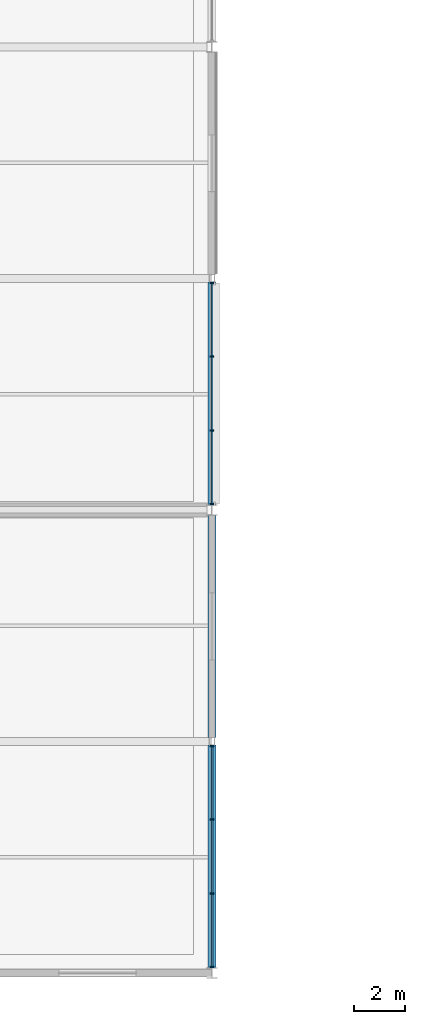
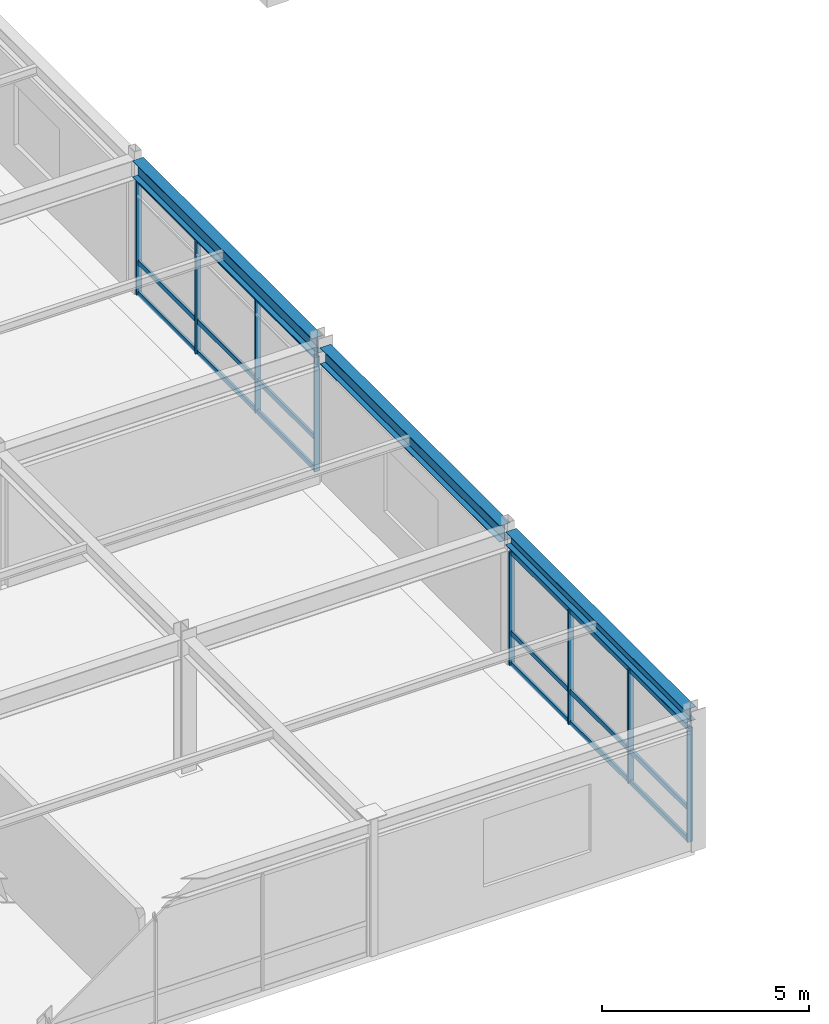
# One storey, part 25 of 105: 26 members, 3 beams, 2 elements without a shape of their own.
"""IFC4 building model written with IfcOpenShell, lengths in metres."""

import ifcopenshell
import ifcopenshell.guid

model = None  # the IFC model being written
_history = None  # IfcOwnerHistory: only IFC2X3 demands one
_inside = {}  # id of a spatial element -> (the spatial element, [elements in it])
_under = {}  # id of a project, library or spatial element -> (it, [spatial elements below it])
_declared = {}  # id of a project -> (the project, [libraries it declares])
_typed = {}  # id of a type object -> (the type object, [elements of that type])
_made_of = {}  # id of a material, layer set ... -> (it, [elements and type objects made of it])


def new_model(schema):
    """Start an empty IFC model of exactly this schema.

    Asked for "IFC4X3", IfcOpenShell would pick the latest addendum, in which some entities
    have other attributes; the version numbers below select the first issue.
    IFC2X3 requires an IfcOwnerHistory on every rooted entity: one is made here for all.
    """
    global model, _history
    if schema == "IFC4X3":
        model = ifcopenshell.file(schema_version=(4, 3, 0, 0))
    else:
        model = ifcopenshell.file(schema=schema)
    _inside.clear()
    _under.clear()
    _declared.clear()
    _typed.clear()
    _made_of.clear()
    _history = None
    if model.schema == "IFC2X3":
        org = make("IfcOrganization", Name="unknown")
        user = make(
            "IfcPersonAndOrganization",
            ThePerson=make("IfcPerson", FamilyName="unknown"),
            TheOrganization=org,
        )
        app = make(
            "IfcApplication",
            ApplicationDeveloper=org,
            Version="unknown",
            ApplicationFullName="unknown",
            ApplicationIdentifier="unknown",
        )
        _history = make(
            "IfcOwnerHistory",
            OwningUser=user,
            OwningApplication=app,
            ChangeAction="ADDED",
            CreationDate=0,
        )
    return model


def make(cls, **values):
    """One entity of the class cls with the attributes given. An attribute that is None is left unset."""
    return model.create_entity(
        cls, **{name: value for name, value in values.items() if value is not None}
    )


def rooted(cls, **values):
    """An entity with a GlobalId (a new one), such as an element, a storey or a relation."""
    return make(cls, GlobalId=ifcopenshell.guid.new(), OwnerHistory=_history, **values)


def si_unit(unit_type, name, prefix=None):
    """IfcSIUnit, for example si_unit("LENGTHUNIT", "METRE", prefix="MILLI")."""
    return make("IfcSIUnit", UnitType=unit_type, Prefix=prefix, Name=name)


def assignment(units):
    """IfcUnitAssignment: the units of a project."""
    return None if units is None else make("IfcUnitAssignment", Units=units)


def point(xyz):
    """IfcCartesianPoint."""
    return None if xyz is None else make("IfcCartesianPoint", Coordinates=xyz)


def direction(xyz):
    """IfcDirection."""
    return None if xyz is None else make("IfcDirection", DirectionRatios=xyz)


def frame(location, z_axis=None, x_axis=None):
    """IfcAxis2Placement3D, a coordinate frame: its origin and axes. An axis left out is left unset."""
    return make(
        "IfcAxis2Placement3D",
        Location=point(location),
        Axis=direction(z_axis),
        RefDirection=direction(x_axis),
    )


def frame_2d(location, x_axis=None):
    """IfcAxis2Placement2D, a coordinate frame in the plane: its origin and x axis."""
    return make(
        "IfcAxis2Placement2D", Location=point(location), RefDirection=direction(x_axis)
    )


def origin():
    """The frame at (0, 0, 0) with its axes left unset."""
    return frame((0.0, 0.0, 0.0))


def origin_2d():
    """The frame at (0, 0) in the plane with its x axis left unset."""
    return frame_2d((0.0, 0.0))


def place(relative_to, where):
    """IfcLocalPlacement: puts the frame where relative to a parent placement (None: the world)."""
    return make(
        "IfcLocalPlacement", PlacementRelTo=relative_to, RelativePlacement=where
    )


def context(
    kind, dimensions, precision=None, world=None, true_north=None, identifier=None
):
    """IfcGeometricRepresentationContext, for example the 3D "Model" context."""
    return make(
        "IfcGeometricRepresentationContext",
        ContextIdentifier=identifier,
        ContextType=kind,
        CoordinateSpaceDimension=dimensions,
        Precision=precision,
        WorldCoordinateSystem=world,
        TrueNorth=true_north,
    )


def subcontext(parent, identifier, kind, view, scale=None):
    """IfcGeometricRepresentationSubContext, for example "Body" below "Model"."""
    return make(
        "IfcGeometricRepresentationSubContext",
        ContextIdentifier=identifier,
        ContextType=kind,
        ParentContext=parent,
        TargetScale=scale,
        TargetView=view,
    )


def project(units=None, contexts=None):
    """IfcProject with its units and contexts."""
    return rooted(
        "IfcProject",
        Name="project",
        RepresentationContexts=contexts,
        UnitsInContext=assignment(units),
    )


def spatial(cls, under=None, at=None, **own):
    """A site, building, storey or space (cls), placed at a placement, below another one or the project."""
    s = rooted(cls, ObjectPlacement=at, **own)
    if under is not None:
        _under.setdefault(under.id(), (under, []))[1].append(s)
    return s


def profile(cls, at=None, kind="AREA", **sizes):
    """A parametric profile (cls). Its sizes go by their IFC names, for example OverallWidth=200.0."""
    return make(cls, ProfileType=kind, Position=at, **sizes)


def rectangle(**sizes):
    """IfcRectangleProfileDef."""
    return profile("IfcRectangleProfileDef", **sizes)


def i_section(**sizes):
    """IfcIShapeProfileDef."""
    return profile("IfcIShapeProfileDef", **sizes)


def extrude(swept, where, along, depth):
    """IfcExtrudedAreaSolid: the profile swept, set in the frame where, extruded along a direction by depth."""
    return make(
        "IfcExtrudedAreaSolid",
        SweptArea=swept,
        Position=where,
        ExtrudedDirection=direction(along),
        Depth=depth,
    )


def shape(context_of_items, identifier, shape_type, items):
    """IfcShapeRepresentation: the items that make up one representation, for example the "Body"."""
    return make(
        "IfcShapeRepresentation",
        ContextOfItems=context_of_items,
        RepresentationIdentifier=identifier,
        RepresentationType=shape_type,
        Items=items,
    )


def material(Name=None, Category=None):
    """IfcMaterial."""
    return make("IfcMaterial", Name=Name, Category=Category)


def material_profile(
    of_material, cross_section, Name=None, Category=None, Priority=None
):
    """IfcMaterialProfile: a cross section and its material."""
    return make(
        "IfcMaterialProfile",
        Name=Name,
        Material=of_material,
        Profile=cross_section,
        Priority=Priority,
        Category=Category,
    )


def profile_set(profiles, Name=None, composite=None):
    """IfcMaterialProfileSet."""
    return make(
        "IfcMaterialProfileSet",
        Name=Name,
        MaterialProfiles=profiles,
        CompositeProfile=composite,
    )


def made_of(thing, what):
    """Note that an element or type object is made of a material, layer set ...; save() writes the relation."""
    if what is not None:
        _made_of.setdefault(what.id(), (what, []))[1].append(thing)
    return thing


def type_object(cls, material=None, **own):
    """A type object (cls), such as IfcWallType, which elements share."""
    return made_of(rooted(cls, **own), material)


def element(
    cls,
    number,
    at=None,
    inside=None,
    cuts=None,
    type_object=None,
    material=None,
    context=None,
    identifier="Body",
    shape_type=None,
    held_by="IfcProductDefinitionShape",
    body=None,
    shapes=None,
    **own,
):
    """One element of the class cls, such as IfcWall. Its Tag is "e" and its number.

    at: its placement. inside: the storey or other place that contains it. cuts: it is an
    opening in that element (IfcRelVoidsElement). A single representation is given by context,
    identifier, shape_type and body (its items); several are given by shapes. held_by: the class
    of the entity that holds the representations. save() writes the other relations.
    """
    e = rooted(cls, Tag="e%d" % number, ObjectPlacement=at, **own)
    if body is not None:
        shapes = [shape(context, identifier, shape_type, body)]
    if shapes is not None:
        e.Representation = make(held_by, Representations=shapes)
    if inside is not None:
        _inside.setdefault(inside.id(), (inside, []))[1].append(e)
    if cuts is not None:
        rooted(
            "IfcRelVoidsElement", RelatingBuildingElement=cuts, RelatedOpeningElement=e
        )
    if type_object is not None:
        _typed.setdefault(type_object.id(), (type_object, []))[1].append(e)
    return made_of(e, material)


def aggregate(whole, parts):
    """IfcRelAggregates: a whole, such as a stair, and the parts it consists of."""
    return rooted("IfcRelAggregates", RelatingObject=whole, RelatedObjects=parts)


def save(model, path):
    """Write the relations noted so far, then the file.

    IfcRelAggregates (storeys below a building ...), IfcRelContainedInSpatialStructure (elements
    in a storey), IfcRelDefinesByType, IfcRelAssociatesMaterial and IfcRelDeclares: one each for
    every whole, place, type object, material and project.
    """
    for whole, parts in _under.values():
        aggregate(whole, parts)
    for where, things in _inside.values():
        rooted(
            "IfcRelContainedInSpatialStructure",
            RelatedElements=things,
            RelatingStructure=where,
        )
    for kind, things in _typed.values():
        rooted("IfcRelDefinesByType", RelatedObjects=things, RelatingType=kind)
    for what, things in _made_of.values():
        rooted("IfcRelAssociatesMaterial", RelatedObjects=things, RelatingMaterial=what)
    for by, libraries in _declared.values():
        rooted("IfcRelDeclares", RelatingContext=by, RelatedDefinitions=libraries)
    model.write(path)


model = new_model("IFC4")

# Units and contexts
model_context = context("Model", 3, precision=1e-05, world=origin(), true_north=direction((0.0, 1.0)))
body_context = subcontext(model_context, "Body", "Model", "MODEL_VIEW")
ifc_project = project(units=[si_unit("LENGTHUNIT", "METRE"), si_unit("AREAUNIT", "SQUARE_METRE"), si_unit("VOLUMEUNIT", "CUBIC_METRE"), si_unit("PLANEANGLEUNIT", "RADIAN"), si_unit("MASSUNIT", "GRAM", prefix="KILO")], contexts=[model_context])

# Site, building, storey
site_placement = place(None, origin())
site = spatial("IfcSite", under=ifc_project, at=site_placement, CompositionType="ELEMENT")
building_placement = place(site_placement, origin())
building = spatial("IfcBuilding", under=site, at=building_placement, Name="Suzunagisa Mobility Hub", CompositionType="ELEMENT")
storey_placement = place(building_placement, frame((0.0, 0.0, 5.10009765625)))
storey = spatial("IfcBuildingStorey", under=building, at=storey_placement, Name="L01", CompositionType="ELEMENT", Elevation=5.10009765625)

# Curtain wall, members
ifc_material_1 = material(Name="Thermally Broken Anodized Aluminum and Low-E Glazing", Category="aluminium")
curtain_wall_type = type_object("IfcCurtainWallType", Name="Unitised Curtain Wall CW-45 8750x3400", PredefinedType="USERDEFINED", material=ifc_material_1)
curtain_wall_1_placement = place(storey_placement, origin())
curtain_wall_1 = element("IfcCurtainWall", 1, at=curtain_wall_1_placement, inside=storey, type_object=curtain_wall_type, Name="L01 Unitised Curtain Wall CW-14", ObjectType="UNITISED CURTAIN WALL", PredefinedType="USERDEFINED")
ifc_material_2 = material(Name="Anodized Aluminum 6063-T6", Category="aluminium")
ifc_material_profile_1 = material_profile(ifc_material_2, rectangle(XDim=0.06494140625, YDim=0.139892578125, at=origin_2d()), Name="TRAN-65x140")
ifc_profile_set_1 = profile_set([ifc_material_profile_1], Name="Anodized Aluminum 6063-T6")
member_type_1 = type_object("IfcMemberType", Name="Curtain Wall Framing CM-01 TRAN-65x140", PredefinedType="USERDEFINED", material=ifc_profile_set_1)
member_1_placement = place(storey_placement, frame((36.0, 0.258056640625, 0.032470703125), z_axis=(0.0, 1.0, 0.0), x_axis=(-1.0, 0.0, 0.0)))
member_1 = element("IfcMember", 2, at=member_1_placement, type_object=member_type_1, Name="Curtain Wall Transom 14-T1.1", ObjectType="TRANSOM", PredefinedType="USERDEFINED", context=body_context, shape_type="SweptSolid", body=[
    extrude(rectangle(XDim=0.06494140625, YDim=0.139892578125, at=origin_2d()), origin(), (0.0, 0.0, 1.0), 2.79736328125),
])
member_2_placement = place(storey_placement, frame((36.0, 0.258056640625, 0.949951171875), z_axis=(0.0, 1.0, 0.0), x_axis=(-1.0, 0.0, 0.0)))
member_2 = element("IfcMember", 3, at=member_2_placement, type_object=member_type_1, Name="Curtain Wall Transom 14-T1.2", ObjectType="TRANSOM", PredefinedType="USERDEFINED", context=body_context, shape_type="SweptSolid", body=[
    extrude(rectangle(XDim=0.06494140625, YDim=0.139892578125, at=origin_2d()), origin(), (0.0, 0.0, 1.0), 2.79736328125),
])
member_3_placement = place(storey_placement, frame((36.0, 0.258056640625, 3.3193359375), z_axis=(0.0, 1.0, 0.0), x_axis=(-1.0, 0.0, 0.0)))
member_3 = element("IfcMember", 4, at=member_3_placement, type_object=member_type_1, Name="Curtain Wall Transom 14-T1.3", ObjectType="TRANSOM", PredefinedType="USERDEFINED", context=body_context, shape_type="SweptSolid", body=[
    extrude(rectangle(XDim=0.06494140625, YDim=0.139892578125, at=origin_2d()), origin(), (0.0, 0.0, 1.0), 2.79736328125),
])
member_4_placement = place(storey_placement, frame((36.0, 3.111328125, 0.032470703125), z_axis=(0.0, 1.0, 0.0), x_axis=(-1.0, 0.0, 0.0)))
member_4 = element("IfcMember", 5, at=member_4_placement, type_object=member_type_1, Name="Curtain Wall Transom 14-T2.1", ObjectType="TRANSOM", PredefinedType="USERDEFINED", context=body_context, shape_type="SweptSolid", body=[
    extrude(rectangle(XDim=0.06494140625, YDim=0.139892578125, at=origin_2d()), origin(), (0.0, 0.0, 1.0), 2.827392578125),
])
member_5_placement = place(storey_placement, frame((36.0, 3.111328125, 0.949951171875), z_axis=(0.0, 1.0, 0.0), x_axis=(-1.0, 0.0, 0.0)))
member_5 = element("IfcMember", 6, at=member_5_placement, type_object=member_type_1, Name="Curtain Wall Transom 14-T2.2", ObjectType="TRANSOM", PredefinedType="USERDEFINED", context=body_context, shape_type="SweptSolid", body=[
    extrude(rectangle(XDim=0.06494140625, YDim=0.139892578125, at=origin_2d()), origin(), (0.0, 0.0, 1.0), 2.827392578125),
])
member_6_placement = place(storey_placement, frame((36.0, 3.111328125, 3.3193359375), z_axis=(0.0, 1.0, 0.0), x_axis=(-1.0, 0.0, 0.0)))
member_6 = element("IfcMember", 7, at=member_6_placement, type_object=member_type_1, Name="Curtain Wall Transom 14-T2.3", ObjectType="TRANSOM", PredefinedType="USERDEFINED", context=body_context, shape_type="SweptSolid", body=[
    extrude(rectangle(XDim=0.06494140625, YDim=0.139892578125, at=origin_2d()), origin(), (0.0, 0.0, 1.0), 2.827392578125),
])
member_7_placement = place(storey_placement, frame((36.0, 5.99462890625, 0.032470703125), z_axis=(0.0, 1.0, 0.0), x_axis=(-1.0, 0.0, 0.0)))
member_7 = element("IfcMember", 8, at=member_7_placement, type_object=member_type_1, Name="Curtain Wall Transom 14-T3.1", ObjectType="TRANSOM", PredefinedType="USERDEFINED", context=body_context, shape_type="SweptSolid", body=[
    extrude(rectangle(XDim=0.06494140625, YDim=0.139892578125, at=origin_2d()), origin(), (0.0, 0.0, 1.0), 2.79736328125),
])
member_8_placement = place(storey_placement, frame((36.0, 5.99462890625, 0.949951171875), z_axis=(0.0, 1.0, 0.0), x_axis=(-1.0, 0.0, 0.0)))
member_8 = element("IfcMember", 9, at=member_8_placement, type_object=member_type_1, Name="Curtain Wall Transom 14-T3.2", ObjectType="TRANSOM", PredefinedType="USERDEFINED", context=body_context, shape_type="SweptSolid", body=[
    extrude(rectangle(XDim=0.06494140625, YDim=0.139892578125, at=origin_2d()), origin(), (0.0, 0.0, 1.0), 2.79736328125),
])
member_9_placement = place(storey_placement, frame((36.0, 5.99462890625, 3.3193359375), z_axis=(0.0, 1.0, 0.0), x_axis=(-1.0, 0.0, 0.0)))
member_9 = element("IfcMember", 10, at=member_9_placement, type_object=member_type_1, Name="Curtain Wall Transom 14-T3.3", ObjectType="TRANSOM", PredefinedType="USERDEFINED", context=body_context, shape_type="SweptSolid", body=[
    extrude(rectangle(XDim=0.06494140625, YDim=0.139892578125, at=origin_2d()), origin(), (0.0, 0.0, 1.0), 2.79736328125),
])

curtain_wall_2_placement = place(storey_placement, origin())
curtain_wall_2 = element("IfcCurtainWall", 11, at=curtain_wall_2_placement, inside=storey, type_object=curtain_wall_type, Name="L01 Unitised Curtain Wall CW-15", ObjectType="UNITISED CURTAIN WALL", PredefinedType="USERDEFINED")
member_10_placement = place(storey_placement, frame((36.0, 18.258056640625, 0.032470703125), z_axis=(0.0, 1.0, 0.0), x_axis=(-1.0, 0.0, 0.0)))
member_10 = element("IfcMember", 12, at=member_10_placement, type_object=member_type_1, Name="Curtain Wall Transom 15-T1.1", ObjectType="TRANSOM", PredefinedType="USERDEFINED", context=body_context, shape_type="SweptSolid", body=[
    extrude(rectangle(XDim=0.06494140625, YDim=0.139892578125, at=origin_2d()), origin(), (0.0, 0.0, 1.0), 2.79736328125),
])
member_11_placement = place(storey_placement, frame((36.0, 18.258056640625, 0.949951171875), z_axis=(0.0, 1.0, 0.0), x_axis=(-1.0, 0.0, 0.0)))
member_11 = element("IfcMember", 13, at=member_11_placement, type_object=member_type_1, Name="Curtain Wall Transom 15-T1.2", ObjectType="TRANSOM", PredefinedType="USERDEFINED", context=body_context, shape_type="SweptSolid", body=[
    extrude(rectangle(XDim=0.06494140625, YDim=0.139892578125, at=origin_2d()), origin(), (0.0, 0.0, 1.0), 2.79736328125),
])
member_12_placement = place(storey_placement, frame((36.0, 18.258056640625, 3.33935546875), z_axis=(0.0, 1.0, 0.0), x_axis=(-1.0, 0.0, 0.0)))
member_12 = element("IfcMember", 14, at=member_12_placement, type_object=member_type_1, Name="Curtain Wall Transom 15-T1.3", ObjectType="TRANSOM", PredefinedType="USERDEFINED", context=body_context, shape_type="SweptSolid", body=[
    extrude(rectangle(XDim=0.06494140625, YDim=0.139892578125, at=origin_2d()), origin(), (0.0, 0.0, 1.0), 2.79736328125),
])
member_13_placement = place(storey_placement, frame((36.0, 21.111328125, 0.032470703125), z_axis=(0.0, 1.0, 0.0), x_axis=(-1.0, 0.0, 0.0)))
member_13 = element("IfcMember", 15, at=member_13_placement, type_object=member_type_1, Name="Curtain Wall Transom 15-T2.1", ObjectType="TRANSOM", PredefinedType="USERDEFINED", context=body_context, shape_type="SweptSolid", body=[
    extrude(rectangle(XDim=0.06494140625, YDim=0.139892578125, at=origin_2d()), origin(), (0.0, 0.0, 1.0), 2.827392578125),
])
member_14_placement = place(storey_placement, frame((36.0, 21.111328125, 0.949951171875), z_axis=(0.0, 1.0, 0.0), x_axis=(-1.0, 0.0, 0.0)))
member_14 = element("IfcMember", 16, at=member_14_placement, type_object=member_type_1, Name="Curtain Wall Transom 15-T2.2", ObjectType="TRANSOM", PredefinedType="USERDEFINED", context=body_context, shape_type="SweptSolid", body=[
    extrude(rectangle(XDim=0.06494140625, YDim=0.139892578125, at=origin_2d()), origin(), (0.0, 0.0, 1.0), 2.827392578125),
])
member_15_placement = place(storey_placement, frame((36.0, 21.111328125, 3.33935546875), z_axis=(0.0, 1.0, 0.0), x_axis=(-1.0, 0.0, 0.0)))
member_15 = element("IfcMember", 17, at=member_15_placement, type_object=member_type_1, Name="Curtain Wall Transom 15-T2.3", ObjectType="TRANSOM", PredefinedType="USERDEFINED", context=body_context, shape_type="SweptSolid", body=[
    extrude(rectangle(XDim=0.06494140625, YDim=0.139892578125, at=origin_2d()), origin(), (0.0, 0.0, 1.0), 2.827392578125),
])
member_16_placement = place(storey_placement, frame((36.0, 23.99462890625, 0.032470703125), z_axis=(0.0, 1.0, 0.0), x_axis=(-1.0, 0.0, 0.0)))
member_16 = element("IfcMember", 18, at=member_16_placement, type_object=member_type_1, Name="Curtain Wall Transom 15-T3.1", ObjectType="TRANSOM", PredefinedType="USERDEFINED", context=body_context, shape_type="SweptSolid", body=[
    extrude(rectangle(XDim=0.06494140625, YDim=0.139892578125, at=origin_2d()), origin(), (0.0, 0.0, 1.0), 2.79736328125),
])
member_17_placement = place(storey_placement, frame((36.0, 23.99462890625, 0.949951171875), z_axis=(0.0, 1.0, 0.0), x_axis=(-1.0, 0.0, 0.0)))
member_17 = element("IfcMember", 19, at=member_17_placement, type_object=member_type_1, Name="Curtain Wall Transom 15-T3.2", ObjectType="TRANSOM", PredefinedType="USERDEFINED", context=body_context, shape_type="SweptSolid", body=[
    extrude(rectangle(XDim=0.06494140625, YDim=0.139892578125, at=origin_2d()), origin(), (0.0, 0.0, 1.0), 2.79736328125),
])
member_18_placement = place(storey_placement, frame((36.0, 23.99462890625, 3.33935546875), z_axis=(0.0, 1.0, 0.0), x_axis=(-1.0, 0.0, 0.0)))
member_18 = element("IfcMember", 20, at=member_18_placement, type_object=member_type_1, Name="Curtain Wall Transom 15-T3.3", ObjectType="TRANSOM", PredefinedType="USERDEFINED", context=body_context, shape_type="SweptSolid", body=[
    extrude(rectangle(XDim=0.06494140625, YDim=0.139892578125, at=origin_2d()), origin(), (0.0, 0.0, 1.0), 2.79736328125),
])

# Member
ifc_material_profile_2 = material_profile(ifc_material_2, rectangle(XDim=0.06005859375, YDim=0.14990234375, at=origin_2d()), Name="MULL-60x150")
ifc_profile_set_2 = profile_set([ifc_material_profile_2], Name="Anodized Aluminum 6063-T6")
member_type_2 = type_object("IfcMemberType", Name="Curtain Wall Framing CM-03 MULL-60x150", PredefinedType="MULLION", material=ifc_profile_set_2)
member_19_placement = place(storey_placement, frame((36.0, 0.22998046875, 0.0), z_axis=(0.0, 0.0, 1.0), x_axis=(0.0, 1.0, 0.0)))
member_19 = element("IfcMember", 21, at=member_19_placement, type_object=member_type_2, Name="Curtain Wall Mullion 14-M1", PredefinedType="MULLION", context=body_context, shape_type="SweptSolid", body=[
    extrude(rectangle(XDim=0.06005859375, YDim=0.14990234375, at=origin_2d()), origin(), (0.0, 0.0, 1.0), 3.351806640625),
])

member_20_placement = place(storey_placement, frame((36.0, 3.083251953125, 0.0), z_axis=(0.0, 0.0, 1.0), x_axis=(0.0, 1.0, 0.0)))
member_20 = element("IfcMember", 22, at=member_20_placement, type_object=member_type_2, Name="Curtain Wall Mullion 14-M2", PredefinedType="MULLION", context=body_context, shape_type="SweptSolid", body=[
    extrude(rectangle(XDim=0.06005859375, YDim=0.14990234375, at=origin_2d()), origin(), (0.0, 0.0, 1.0), 3.351806640625),
])

member_21_placement = place(storey_placement, frame((36.0, 5.966796875, 0.0), z_axis=(0.0, 0.0, 1.0), x_axis=(0.0, 1.0, 0.0)))
member_21 = element("IfcMember", 23, at=member_21_placement, type_object=member_type_2, Name="Curtain Wall Mullion 14-M3", PredefinedType="MULLION", context=body_context, shape_type="SweptSolid", body=[
    extrude(rectangle(XDim=0.06005859375, YDim=0.14990234375, at=origin_2d()), origin(), (0.0, 0.0, 1.0), 3.351806640625),
])

member_22_placement = place(storey_placement, frame((36.0, 8.820068359375, 0.0), z_axis=(0.0, 0.0, 1.0), x_axis=(0.0, 1.0, 0.0)))
member_22 = element("IfcMember", 24, at=member_22_placement, type_object=member_type_2, Name="Curtain Wall Mullion 14-M4", PredefinedType="MULLION", context=body_context, shape_type="SweptSolid", body=[
    extrude(rectangle(XDim=0.06005859375, YDim=0.14990234375, at=origin_2d()), origin(), (0.0, 0.0, 1.0), 3.351806640625),
])

aggregate(curtain_wall_1, [member_19, member_20, member_21, member_22, member_1, member_2, member_3, member_4, member_5, member_6, member_7, member_8, member_9])

member_23_placement = place(storey_placement, frame((36.0, 18.22998046875, 0.0), z_axis=(0.0, 0.0, 1.0), x_axis=(0.0, 1.0, 0.0)))
member_23 = element("IfcMember", 25, at=member_23_placement, type_object=member_type_2, Name="Curtain Wall Mullion 15-M1", PredefinedType="MULLION", context=body_context, shape_type="SweptSolid", body=[
    extrude(rectangle(XDim=0.06005859375, YDim=0.14990234375, at=origin_2d()), origin(), (0.0, 0.0, 1.0), 3.371826171875),
])

member_24_placement = place(storey_placement, frame((36.0, 21.083251953125, 0.0), z_axis=(0.0, 0.0, 1.0), x_axis=(0.0, 1.0, 0.0)))
member_24 = element("IfcMember", 26, at=member_24_placement, type_object=member_type_2, Name="Curtain Wall Mullion 15-M2", PredefinedType="MULLION", context=body_context, shape_type="SweptSolid", body=[
    extrude(rectangle(XDim=0.06005859375, YDim=0.14990234375, at=origin_2d()), origin(), (0.0, 0.0, 1.0), 3.371826171875),
])

member_25_placement = place(storey_placement, frame((36.0, 23.966796875, 0.0), z_axis=(0.0, 0.0, 1.0), x_axis=(0.0, 1.0, 0.0)))
member_25 = element("IfcMember", 27, at=member_25_placement, type_object=member_type_2, Name="Curtain Wall Mullion 15-M3", PredefinedType="MULLION", context=body_context, shape_type="SweptSolid", body=[
    extrude(rectangle(XDim=0.06005859375, YDim=0.14990234375, at=origin_2d()), origin(), (0.0, 0.0, 1.0), 3.371826171875),
])

member_26_placement = place(storey_placement, frame((36.0, 26.820068359375, 0.0), z_axis=(0.0, 0.0, 1.0), x_axis=(0.0, 1.0, 0.0)))
member_26 = element("IfcMember", 28, at=member_26_placement, type_object=member_type_2, Name="Curtain Wall Mullion 15-M4", PredefinedType="MULLION", context=body_context, shape_type="SweptSolid", body=[
    extrude(rectangle(XDim=0.06005859375, YDim=0.14990234375, at=origin_2d()), origin(), (0.0, 0.0, 1.0), 3.371826171875),
])

aggregate(curtain_wall_2, [member_23, member_24, member_25, member_26, member_10, member_11, member_12, member_13, member_14, member_15, member_16, member_17, member_18])

# Beams
ifc_material_3 = material(Name="Steel SN490B", Category="steel")
ifc_material_profile_3 = material_profile(ifc_material_3, i_section(OverallWidth=0.300048828125, OverallDepth=0.488037109375, WebThickness=0.010986328125, FlangeThickness=0.01806640625, FilletRadius=0.012939453125, at=origin_2d()), Name="H-488x300x11x18")
ifc_profile_set_3 = profile_set([ifc_material_profile_3], Name="Steel SN490B")
beam_type_1 = type_object("IfcBeamType", Name="Steel Beam BM-06 H-488x300x11x18", PredefinedType="BEAM", material=ifc_profile_set_3)
for number, where, z_axis, x_axis, name in (
    (29, (36.0, 9.14599609375, 3.69580078125), (0.0, 1.0, 0.0), (-1.0, 0.0, 0.0), "L01 Primary Girder GY-231"),
    (30, (36.0, 18.196044921875, 3.7158203125), (0.0, 1.0, 0.0), (-1.0, 0.0, 0.0), "L01 Primary Girder GY-232"),
):
    element("IfcBeam", number, at=place(storey_placement, frame(where, z_axis=z_axis, x_axis=x_axis)), inside=storey, type_object=beam_type_1, Name=name, PredefinedType="BEAM", context=body_context, shape_type="SweptSolid", body=[
        extrude(i_section(OverallWidth=0.300048828125, OverallDepth=0.488037109375, WebThickness=0.010986328125, FlangeThickness=0.01806640625, FilletRadius=0.012939453125, at=origin_2d()), origin(), (0.0, 0.0, 1.0), 8.657958984375),
    ])
ifc_material_profile_4 = material_profile(ifc_material_3, i_section(OverallWidth=0.300048828125, OverallDepth=0.389892578125, WebThickness=0.010009765625, FlangeThickness=0.01611328125, FilletRadius=0.012939453125, at=origin_2d()), Name="H-390x300x10x16")
ifc_profile_set_4 = profile_set([ifc_material_profile_4], Name="Steel SN490B")
beam_type_2 = type_object("IfcBeamType", Name="Steel Beam BM-13 H-390x300x10x16", PredefinedType="SPANDREL", material=ifc_profile_set_4)
beam_placement = place(storey_placement, frame((36.0, 0.196044921875, 3.744873046875), z_axis=(0.0, 1.0, 0.0), x_axis=(-1.0, 0.0, 0.0)))
element("IfcBeam", 31, at=beam_placement, inside=storey, type_object=beam_type_2, Name="L01 Primary Girder GY-266", PredefinedType="SPANDREL", context=body_context, shape_type="SweptSolid", body=[
    extrude(i_section(OverallWidth=0.300048828125, OverallDepth=0.389892578125, WebThickness=0.010009765625, FlangeThickness=0.01611328125, FilletRadius=0.012939453125, at=origin_2d()), origin(), (0.0, 0.0, 1.0), 8.657958984375),
])

save(model, "model.ifc")
